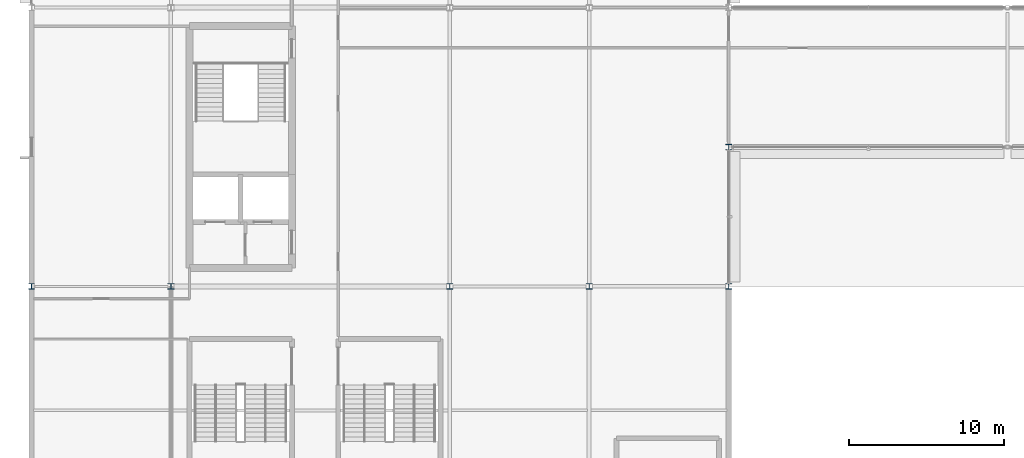
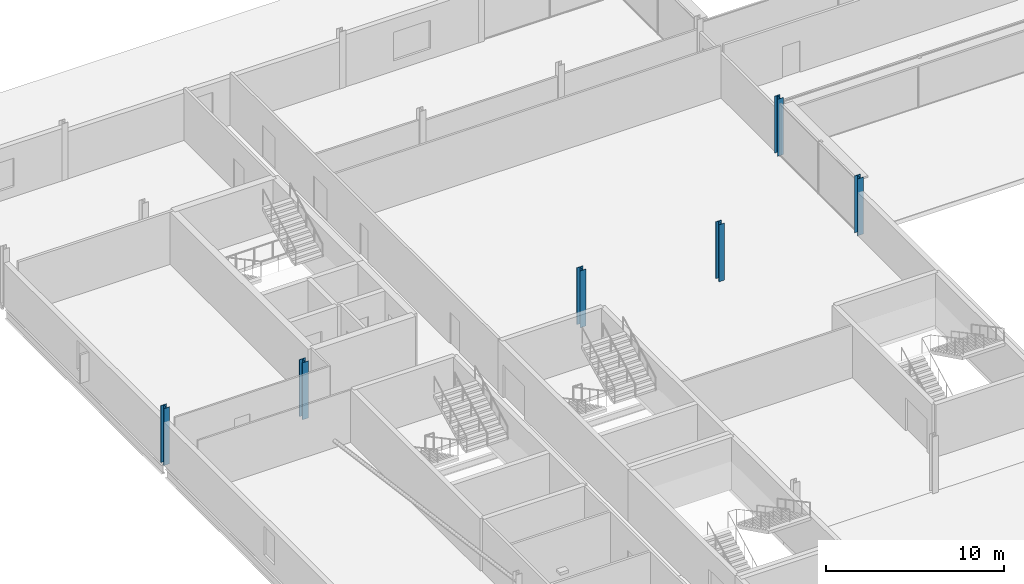
# One storey, part 5 of 105: 6 columns.
"""IFC4 building model written with IfcOpenShell, lengths in metres."""

from ifc_helpers import new_model, si_unit, direction, frame, origin, origin_2d, place, context, subcontext, project, spatial, i_section, extrude, material, material_profile, profile_set, type_object, element, save


model = new_model("IFC4")

# Units and contexts
model_context = context("Model", 3, precision=1e-05, world=origin(), true_north=direction((0.0, 1.0)))
body_context = subcontext(model_context, "Body", "Model", "MODEL_VIEW")
ifc_project = project(units=[si_unit("LENGTHUNIT", "METRE"), si_unit("AREAUNIT", "SQUARE_METRE"), si_unit("VOLUMEUNIT", "CUBIC_METRE"), si_unit("PLANEANGLEUNIT", "RADIAN"), si_unit("MASSUNIT", "GRAM", prefix="KILO")], contexts=[model_context])

# Site, building, storey
site_placement = place(None, origin())
site = spatial("IfcSite", under=ifc_project, at=site_placement, CompositionType="ELEMENT")
building_placement = place(site_placement, origin())
building = spatial("IfcBuilding", under=site, at=building_placement, Name="Kisiwana Market Hall", CompositionType="ELEMENT")
storey_placement = place(building_placement, frame((0.0, 0.0, 21.60009765625)))
storey = spatial("IfcBuildingStorey", under=building, at=storey_placement, Name="L04", CompositionType="ELEMENT", Elevation=21.60009765625)

# Columns
ifc_material_1 = material(Name="Steel S355", Category="steel")
ifc_material_profile_1 = material_profile(ifc_material_1, i_section(OverallWidth=0.37255859375, OverallDepth=0.3681640625, WebThickness=0.014404296875, FlangeThickness=0.023681640625, FilletRadius=0.01513671875, at=origin_2d()), Name="UC 356x368x177")
ifc_profile_set_1 = profile_set([ifc_material_profile_1], Name="Steel S355")
column_type_1 = type_object("IfcColumnType", Name="COL-STL-UC177", PredefinedType="COLUMN", material=ifc_profile_set_1)
for number, where, z_axis, x_axis, name in (
    (1, (0.0, 84.0, 0.0), (0.0, 0.0, 1.0), (1.0, 0.0, 0.0), "Column L/1 (L04) C-0792"),
    (2, (36.0, 84.0, 0.0), (0.0, 0.0, 1.0), (1.0, 0.0, 0.0), "Column L/5 (L04) C-0811"),
    (3, (45.0, 84.0, 0.0), (0.0, 0.0, 1.0), (1.0, 0.0, 0.0), "Column L/6 (L04) C-0819"),
    (4, (45.0, 93.0, 0.0), (0.0, 0.0, 1.0), (1.0, 0.0, 0.0), "Column M/6 (L04) C-0820"),
):
    element("IfcColumn", number, at=place(storey_placement, frame(where, z_axis=z_axis, x_axis=x_axis)), inside=storey, type_object=column_type_1, Name=name, PredefinedType="COLUMN", context=body_context, shape_type="SweptSolid", body=[
        extrude(i_section(OverallWidth=0.37255859375, OverallDepth=0.3681640625, WebThickness=0.014404296875, FlangeThickness=0.023681640625, FilletRadius=0.01513671875, at=origin_2d()), origin(), (0.0, 0.0, 1.0), 3.89990234375),
    ])
ifc_material_2 = material(Name="Steel S355", Category="steel")
ifc_material_profile_2 = material_profile(ifc_material_2, i_section(OverallWidth=0.394775390625, OverallDepth=0.381103515625, WebThickness=0.018310546875, FlangeThickness=0.0302734375, at=origin_2d()), Name="UC 356x406x235")
ifc_profile_set_2 = profile_set([ifc_material_profile_2], Name="Steel S355")
column_type_2 = type_object("IfcColumnType", Name="COL-STL-UC235", PredefinedType="COLUMN", material=ifc_profile_set_2)
for number, where, z_axis, x_axis, name in (
    (5, (9.0, 84.0, 0.0), (0.0, 0.0, 1.0), (1.0, 0.0, 0.0), "Column L/2 (L04) C-0798"),
    (6, (27.0, 84.0, 0.0), (0.0, 0.0, 1.0), (1.0, 0.0, 0.0), "Column L/4 (L04) C-0805"),
):
    element("IfcColumn", number, at=place(storey_placement, frame(where, z_axis=z_axis, x_axis=x_axis)), inside=storey, type_object=column_type_2, Name=name, PredefinedType="COLUMN", context=body_context, shape_type="SweptSolid", body=[
        extrude(i_section(OverallWidth=0.394775390625, OverallDepth=0.381103515625, WebThickness=0.018310546875, FlangeThickness=0.0302734375, at=origin_2d()), origin(), (0.0, 0.0, 1.0), 3.89990234375),
    ])

save(model, "model.ifc")
